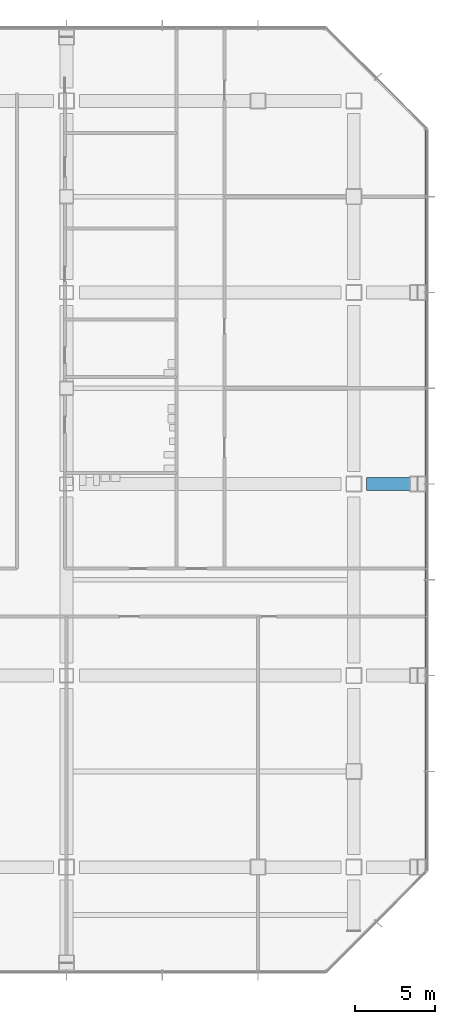
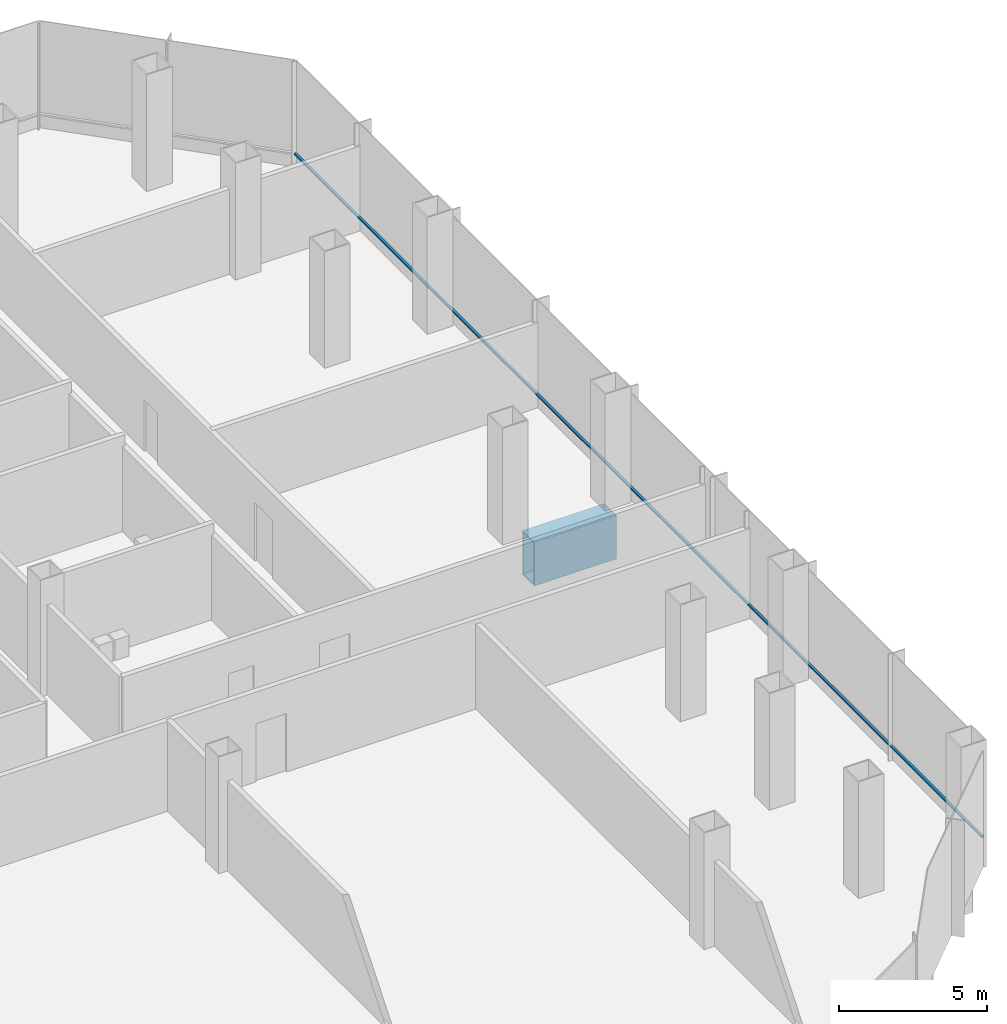
# One storey, part 17 of 34: 1 beam, 1 member, 1 element without a shape of its own.
"""IFC4 building model written with IfcOpenShell, lengths in metres."""

from ifc_helpers import new_model, si_unit, direction, frame, origin, origin_2d, place, context, subcontext, project, spatial, rectangle, hollow_rectangle, extrude, material, material_profile, profile_set, type_object, element, aggregate, save


model = new_model("IFC4")

# Units and contexts
model_context = context("Model", 3, precision=1e-05, world=origin(), true_north=direction((0.0, 1.0)))
body_context = subcontext(model_context, "Body", "Model", "MODEL_VIEW")
ifc_project = project(units=[si_unit("LENGTHUNIT", "METRE"), si_unit("AREAUNIT", "SQUARE_METRE"), si_unit("VOLUMEUNIT", "CUBIC_METRE"), si_unit("PLANEANGLEUNIT", "RADIAN"), si_unit("MASSUNIT", "GRAM", prefix="KILO")], contexts=[model_context])

# Site, building, storey
site_placement = place(None, origin())
site = spatial("IfcSite", under=ifc_project, at=site_placement, CompositionType="ELEMENT")
building_placement = place(site_placement, origin())
building = spatial("IfcBuilding", under=site, at=building_placement, Name="Sorahane Residences", CompositionType="ELEMENT")
storey_placement = place(building_placement, frame((0.0, 0.0, 20.39990234375)))
storey = spatial("IfcBuildingStorey", under=building, at=storey_placement, Name="L02", CompositionType="ELEMENT", Elevation=20.39990234375)

# Curtain wall, member
ifc_material_1 = material(Name="Dark low-e glass and black anodised aluminium", Category="aluminium")
curtain_wall_type = type_object("IfcCurtainWallType", Name="Curtain wall CW-3 Podium unitised wall", PredefinedType="NOTDEFINED", material=ifc_material_1)
curtain_wall_placement = place(storey_placement, origin())
curtain_wall = element("IfcCurtainWall", 1, at=curtain_wall_placement, inside=storey, type_object=curtain_wall_type, Name="CW-3 curtain wall L02 E1", PredefinedType="NOTDEFINED")
ifc_material_2 = material(Name="Black anodised aluminium", Category="aluminium")
ifc_material_profile_1 = material_profile(ifc_material_2, rectangle(XDim=0.10009765625, YDim=0.06005859375, at=origin_2d()), Name="Curtain wall transom CW-3 black anodised aluminium 60x100")
ifc_profile_set_1 = profile_set([ifc_material_profile_1], Name="Black anodised aluminium")
member_type = type_object("IfcMemberType", Name="Curtain wall transom CW-3 black anodised aluminium 60x100", PredefinedType="USERDEFINED", material=ifc_profile_set_1)
member_placement = place(storey_placement, frame((70.530029296875, -0.198486328125, 0.60009765625), z_axis=(0.0, 1.0, 0.0), x_axis=(-1.0, 0.0, 0.0)))
member = element("IfcMember", 2, at=member_placement, type_object=member_type, Name="CW-3 transom L02 E1", ObjectType="TRANSOM", PredefinedType="USERDEFINED", context=body_context, shape_type="SweptSolid", body=[
    extrude(rectangle(XDim=0.10009765625, YDim=0.06005859375, at=origin_2d()), origin(), (0.0, 0.0, 1.0), 46.39697265625),
])
aggregate(curtain_wall, [member])

# Beam
ifc_material_3 = material(Name="Steel Q420GJ", Category="steel")
ifc_material_profile_2 = material_profile(ifc_material_3, hollow_rectangle(XDim=0.800048828125, YDim=1.800048828125, WallThickness=0.050048828125, at=origin_2d()), Name="BOX 1800x800x50")
ifc_profile_set_2 = profile_set([ifc_material_profile_2], Name="Steel Q420GJ")
beam_type = type_object("IfcBeamType", Name="Steel transfer girder BOX 1800x800x50 Q420GJ", PredefinedType="BEAM", material=ifc_profile_set_2)
beam_placement = place(storey_placement, frame((66.800048828125, 24.0, -1.2998046875), z_axis=(1.0, 0.0, 0.0), x_axis=(0.0, 1.0, 0.0)))
element("IfcBeam", 3, at=beam_placement, inside=storey, type_object=beam_type, Name="Beam L02 013", PredefinedType="BEAM", context=body_context, shape_type="SweptSolid", body=[
    extrude(hollow_rectangle(XDim=0.800048828125, YDim=1.800048828125, WallThickness=0.050048828125, at=origin_2d()), origin(), (0.0, 0.0, 1.0), 3.199951171875),
])

save(model, "model.ifc")
